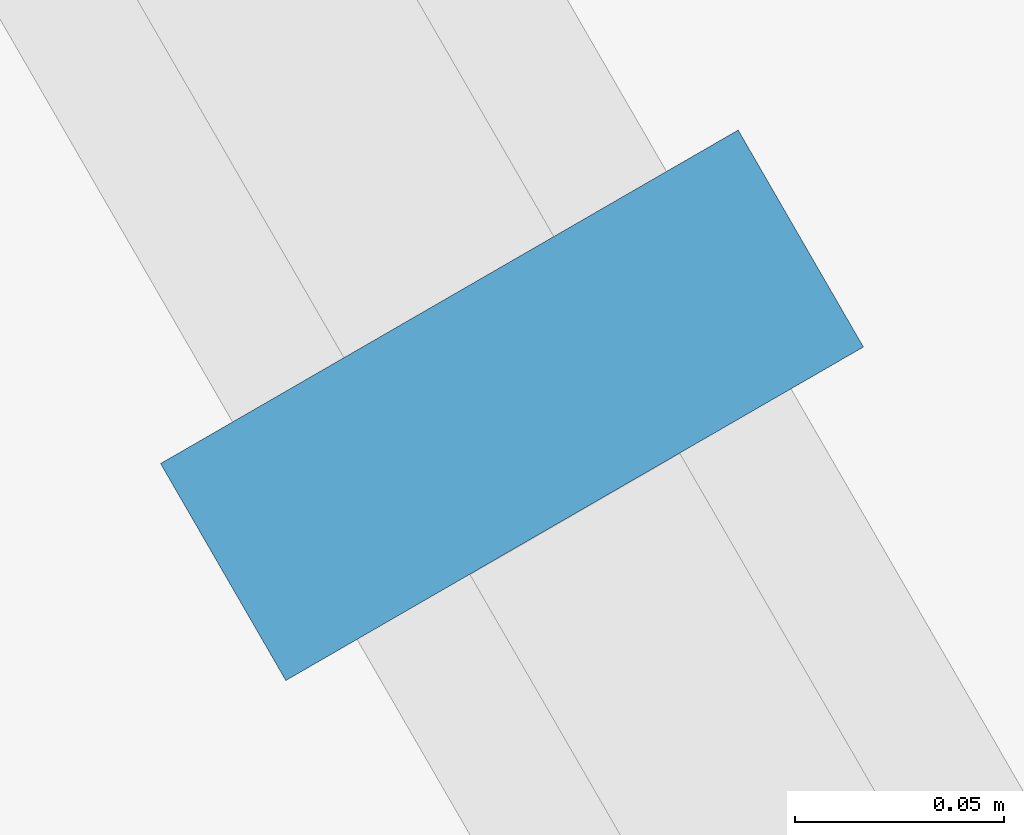
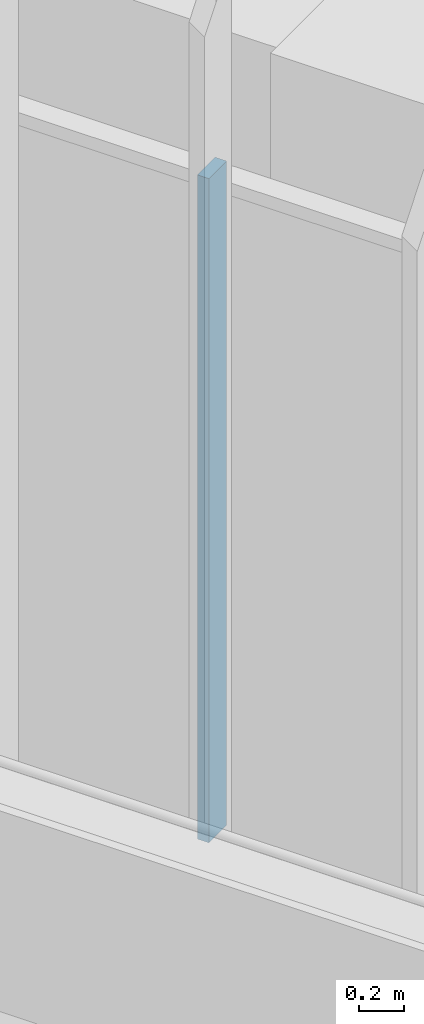
# One storey, part 26 of 127: 1 member, 1 element without a shape of its own.
"""IFC4 building model written with IfcOpenShell, lengths in metres."""

from ifc_helpers import new_model, si_unit, direction, frame, origin, origin_2d, place, context, subcontext, project, spatial, rectangle, extrude, material, material_profile, profile_set, type_object, element, aggregate, save


model = new_model("IFC4")

# Units and contexts
model_context = context("Model", 3, precision=1e-05, world=origin(), true_north=direction((0.0, 1.0)))
body_context = subcontext(model_context, "Body", "Model", "MODEL_VIEW")
ifc_project = project(units=[si_unit("LENGTHUNIT", "METRE"), si_unit("AREAUNIT", "SQUARE_METRE"), si_unit("VOLUMEUNIT", "CUBIC_METRE"), si_unit("PLANEANGLEUNIT", "RADIAN"), si_unit("MASSUNIT", "GRAM", prefix="KILO")], contexts=[model_context])

# Site, building, storey
site_placement = place(None, origin())
site = spatial("IfcSite", under=ifc_project, at=site_placement, CompositionType="ELEMENT")
building_placement = place(site_placement, origin())
building = spatial("IfcBuilding", under=site, at=building_placement, Name="Sandreach Pilgrim Tower", CompositionType="ELEMENT")
storey_placement = place(building_placement, frame((0.0, 0.0, 257.0)))
storey = spatial("IfcBuildingStorey", under=building, at=storey_placement, Name="L64", CompositionType="ELEMENT", Elevation=257.0)

# Curtain wall, member
ifc_material_1 = material(Name="Aluminium framed curtain wall", Category="aluminium")
curtain_wall_type = type_object("IfcCurtainWallType", Name="Suite tower curtain wall", PredefinedType="NOTDEFINED", material=ifc_material_1)
curtain_wall_placement = place(storey_placement, origin())
curtain_wall = element("IfcCurtainWall", 1, at=curtain_wall_placement, inside=storey, type_object=curtain_wall_type, Name="CW-4 L64 SW", PredefinedType="NOTDEFINED")
ifc_material_2 = material(Name="Aluminium extrusion", Category="aluminium")
ifc_material_profile = material_profile(ifc_material_2, rectangle(XDim=0.06005859375, YDim=0.159912109375, at=origin_2d()), Name="CW-4M 60X160")
ifc_profile_set = profile_set([ifc_material_profile], Name="Aluminium extrusion")
member_type = type_object("IfcMemberType", Name="CW-4 mullion", PredefinedType="MULLION", material=ifc_profile_set)
member_placement = place(storey_placement, frame((-21.697509765625, -2.071533203125, 0.0), z_axis=(0.0, 0.0, 1.0), x_axis=(-0.5, 0.866025403784, 0.0)))
member = element("IfcMember", 2, at=member_placement, type_object=member_type, Name="CW-4 mullion 8", PredefinedType="MULLION", context=body_context, shape_type="SweptSolid", body=[
    extrude(rectangle(XDim=0.06005859375, YDim=0.159912109375, at=origin_2d()), origin(), (0.0, 0.0, 1.0), 3.639892578125),
])
aggregate(curtain_wall, [member])

save(model, "model.ifc")
